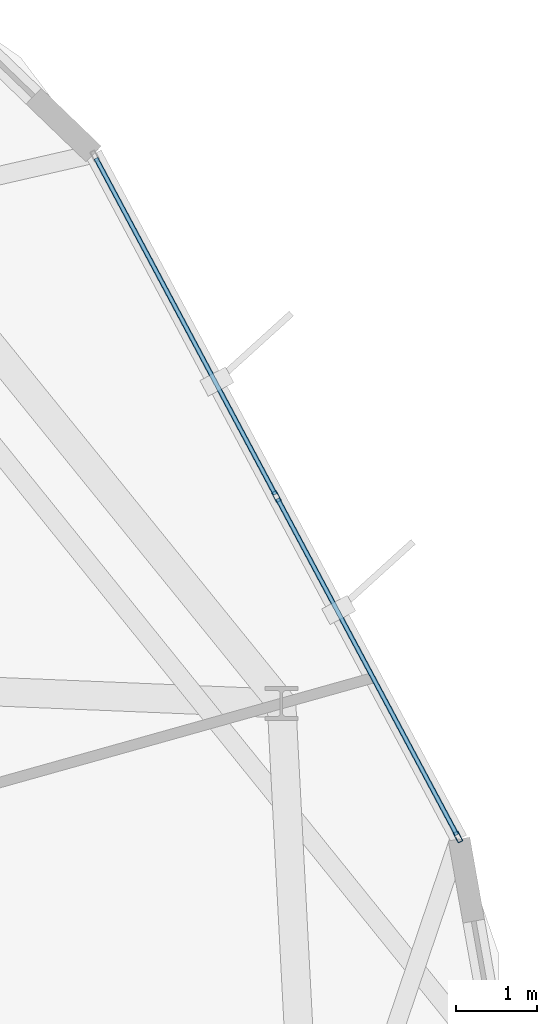
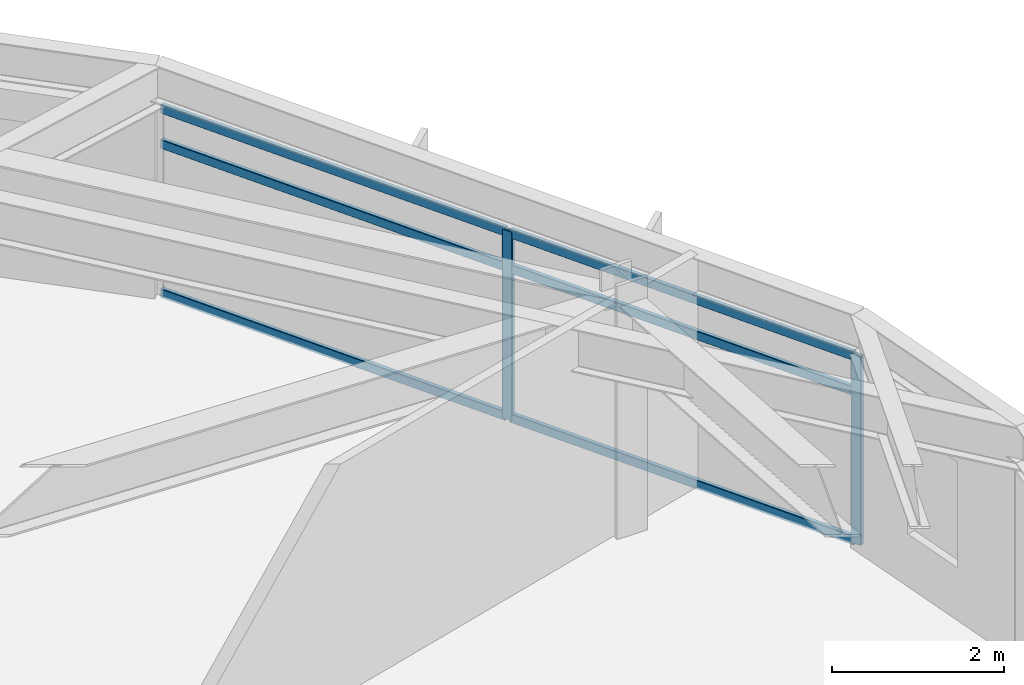
# One storey, part 15 of 28: 8 members, 1 element without a shape of its own.
"""IFC4 building model written with IfcOpenShell, lengths in metres."""

from ifc_helpers import new_model, si_unit, direction, frame, origin, origin_2d, place, context, subcontext, project, spatial, hollow_rectangle, extrude, material, layer, layer_set, material_profile, profile_set, type_object, element, aggregate, save


model = new_model("IFC4")

# Units and contexts
model_context = context("Model", 3, precision=1e-05, world=origin(), true_north=direction((0.0, 1.0)))
body_context = subcontext(model_context, "Body", "Model", "MODEL_VIEW")
ifc_project = project(units=[si_unit("LENGTHUNIT", "METRE"), si_unit("AREAUNIT", "SQUARE_METRE"), si_unit("VOLUMEUNIT", "CUBIC_METRE"), si_unit("PLANEANGLEUNIT", "RADIAN"), si_unit("MASSUNIT", "GRAM", prefix="KILO")], contexts=[model_context])

# Site, building, storey
site_placement = place(None, origin())
site = spatial("IfcSite", under=ifc_project, at=site_placement, CompositionType="ELEMENT")
building_placement = place(site_placement, origin())
building = spatial("IfcBuilding", under=site, at=building_placement, Name="Soratama Intermodal Tower", CompositionType="ELEMENT")
storey_placement = place(building_placement, frame((0.0, 0.0, 205.0)))
storey = spatial("IfcBuildingStorey", under=building, at=storey_placement, Name="L51", CompositionType="ELEMENT", Elevation=205.0)

# Curtain wall, members
ifc_material_1 = material(Name="Double-glazed aluminium curtain wall", Category="aluminium")
ifc_layer = layer(ifc_material_1, 0.159912109375)
ifc_layer_set = layer_set([ifc_layer], Name="Double-glazed aluminium curtain wall")
curtain_wall_type = type_object("IfcCurtainWallType", Name="CW-SYS-5", PredefinedType="NOTDEFINED", material=ifc_layer_set)
curtain_wall_placement = place(storey_placement, origin())
curtain_wall = element("IfcCurtainWall", 1, at=curtain_wall_placement, inside=storey, type_object=curtain_wall_type, Name="L51 Faceted Curtain Wall F10", PredefinedType="NOTDEFINED")
ifc_material_2 = material(Name="Anodised aluminium AA 6063-T6", Category="aluminium")
ifc_material_profile_1 = material_profile(ifc_material_2, hollow_rectangle(XDim=0.06494140625, YDim=0.139892578125, WallThickness=0.0048828125, InnerFilletRadius=0.0048828125, OuterFilletRadius=0.010009765625, at=origin_2d()), Name="CWM140X65X5")
ifc_profile_set_1 = profile_set([ifc_material_profile_1], Name="Anodised aluminium AA 6063-T6")
member_type_1 = type_object("IfcMemberType", Name="MT-CWM-5", PredefinedType="MULLION", material=ifc_profile_set_1)
member_1_placement = place(storey_placement, frame((64.552490234375, 30.011474609375, 0.0), z_axis=(0.0, 0.0, 1.0), x_axis=(-0.882289942268, -0.47070633921, 0.0)))
member_1 = element("IfcMember", 2, at=member_1_placement, type_object=member_type_1, Name="CW-5 mullion 1", PredefinedType="MULLION", context=body_context, shape_type="SweptSolid", body=[
    extrude(hollow_rectangle(XDim=0.06494140625, YDim=0.139892578125, WallThickness=0.0048828125, InnerFilletRadius=0.0048828125, OuterFilletRadius=0.010009765625, at=origin_2d()), origin(), (0.0, 0.0, 1.0), 2.678955078125),
])
member_2_placement = place(storey_placement, frame((62.3017578125, 34.23046875, 0.0), z_axis=(0.0, 0.0, 1.0), x_axis=(-0.882289942268, -0.47070633921, 0.0)))
member_2 = element("IfcMember", 3, at=member_2_placement, type_object=member_type_1, Name="CW-5 mullion 2", PredefinedType="MULLION", context=body_context, shape_type="SweptSolid", body=[
    extrude(hollow_rectangle(XDim=0.06494140625, YDim=0.139892578125, WallThickness=0.0048828125, InnerFilletRadius=0.0048828125, OuterFilletRadius=0.010009765625, at=origin_2d()), origin(), (0.0, 0.0, 1.0), 2.678955078125),
])
ifc_material_3 = material(Name="Anodised aluminium AA 6063-T6", Category="aluminium")
ifc_material_profile_2 = material_profile(ifc_material_3, hollow_rectangle(XDim=0.06005859375, YDim=0.1298828125, WallThickness=0.0048828125, InnerFilletRadius=0.0048828125, OuterFilletRadius=0.010009765625, at=origin_2d()), Name="CWT130X60X5")
ifc_profile_set_2 = profile_set([ifc_material_profile_2], Name="Anodised aluminium AA 6063-T6")
member_type_2 = type_object("IfcMemberType", Name="TT-CWT-2", PredefinedType="USERDEFINED", material=ifc_profile_set_2)
member_3_placement = place(storey_placement, frame((64.53857421875, 30.037841796875, 0.030029296875), z_axis=(-0.47073581751, 0.882274214807, 0.0), x_axis=(-0.882274214807, -0.47073581751, 0.0)))
member_3 = element("IfcMember", 4, at=member_3_placement, type_object=member_type_2, Name="CW-5 transom 1.1", ObjectType="TRANSOM", PredefinedType="USERDEFINED", context=body_context, shape_type="SweptSolid", body=[
    extrude(hollow_rectangle(XDim=0.06005859375, YDim=0.1298828125, WallThickness=0.0048828125, InnerFilletRadius=0.0048828125, OuterFilletRadius=0.010009765625, at=origin_2d()), origin(), (0.0, 0.0, 1.0), 4.72216796875),
])
member_4_placement = place(storey_placement, frame((64.53857421875, 30.037841796875, 2.14990234375), z_axis=(-0.47073581751, 0.882274214807, 0.0), x_axis=(-0.882274214807, -0.47073581751, 0.0)))
member_4 = element("IfcMember", 5, at=member_4_placement, type_object=member_type_2, Name="CW-5 transom 1.2", ObjectType="TRANSOM", PredefinedType="USERDEFINED", context=body_context, shape_type="SweptSolid", body=[
    extrude(hollow_rectangle(XDim=0.06005859375, YDim=0.1298828125, WallThickness=0.0048828125, InnerFilletRadius=0.0048828125, OuterFilletRadius=0.010009765625, at=origin_2d()), origin(), (0.0, 0.0, 1.0), 4.72216796875),
])
member_5_placement = place(storey_placement, frame((64.53857421875, 30.037841796875, 2.64892578125), z_axis=(-0.47073581751, 0.882274214807, 0.0), x_axis=(-0.882274214807, -0.47073581751, 0.0)))
member_5 = element("IfcMember", 6, at=member_5_placement, type_object=member_type_2, Name="CW-5 transom 1.3", ObjectType="TRANSOM", PredefinedType="USERDEFINED", context=body_context, shape_type="SweptSolid", body=[
    extrude(hollow_rectangle(XDim=0.06005859375, YDim=0.1298828125, WallThickness=0.0048828125, InnerFilletRadius=0.0048828125, OuterFilletRadius=0.010009765625, at=origin_2d()), origin(), (0.0, 0.0, 1.0), 4.72216796875),
])
member_6_placement = place(storey_placement, frame((62.28759765625, 34.257080078125, 0.030029296875), z_axis=(-0.47071704406, 0.882284231091, 0.0), x_axis=(-0.882284231091, -0.47071704406, 0.0)))
member_6 = element("IfcMember", 7, at=member_6_placement, type_object=member_type_2, Name="CW-5 transom 2.1", ObjectType="TRANSOM", PredefinedType="USERDEFINED", context=body_context, shape_type="SweptSolid", body=[
    extrude(hollow_rectangle(XDim=0.06005859375, YDim=0.1298828125, WallThickness=0.0048828125, InnerFilletRadius=0.0048828125, OuterFilletRadius=0.010009765625, at=origin_2d()), origin(), (0.0, 0.0, 1.0), 4.721923828125),
])
member_7_placement = place(storey_placement, frame((62.28759765625, 34.257080078125, 2.14990234375), z_axis=(-0.47071704406, 0.882284231091, 0.0), x_axis=(-0.882284231091, -0.47071704406, 0.0)))
member_7 = element("IfcMember", 8, at=member_7_placement, type_object=member_type_2, Name="CW-5 transom 2.2", ObjectType="TRANSOM", PredefinedType="USERDEFINED", context=body_context, shape_type="SweptSolid", body=[
    extrude(hollow_rectangle(XDim=0.06005859375, YDim=0.1298828125, WallThickness=0.0048828125, InnerFilletRadius=0.0048828125, OuterFilletRadius=0.010009765625, at=origin_2d()), origin(), (0.0, 0.0, 1.0), 4.721923828125),
])
member_8_placement = place(storey_placement, frame((62.28759765625, 34.257080078125, 2.64892578125), z_axis=(-0.47071704406, 0.882284231091, 0.0), x_axis=(-0.882284231091, -0.47071704406, 0.0)))
member_8 = element("IfcMember", 9, at=member_8_placement, type_object=member_type_2, Name="CW-5 transom 2.3", ObjectType="TRANSOM", PredefinedType="USERDEFINED", context=body_context, shape_type="SweptSolid", body=[
    extrude(hollow_rectangle(XDim=0.06005859375, YDim=0.1298828125, WallThickness=0.0048828125, InnerFilletRadius=0.0048828125, OuterFilletRadius=0.010009765625, at=origin_2d()), origin(), (0.0, 0.0, 1.0), 4.721923828125),
])
aggregate(curtain_wall, [member_1, member_2, member_3, member_4, member_5, member_6, member_7, member_8])

save(model, "model.ifc")
